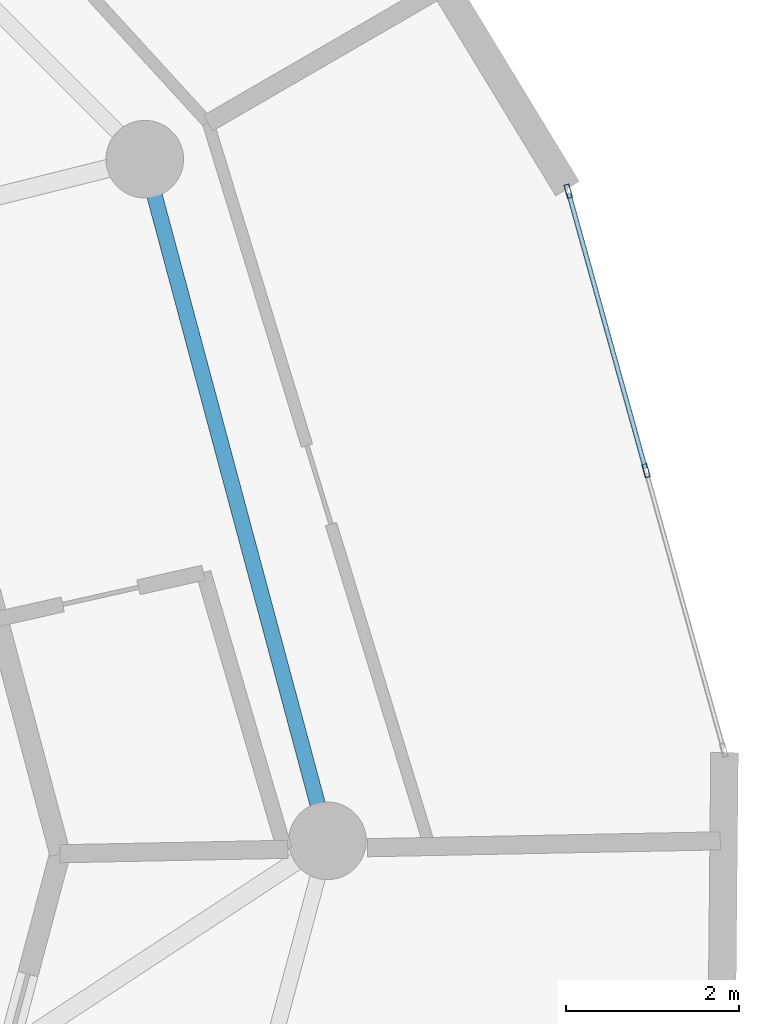
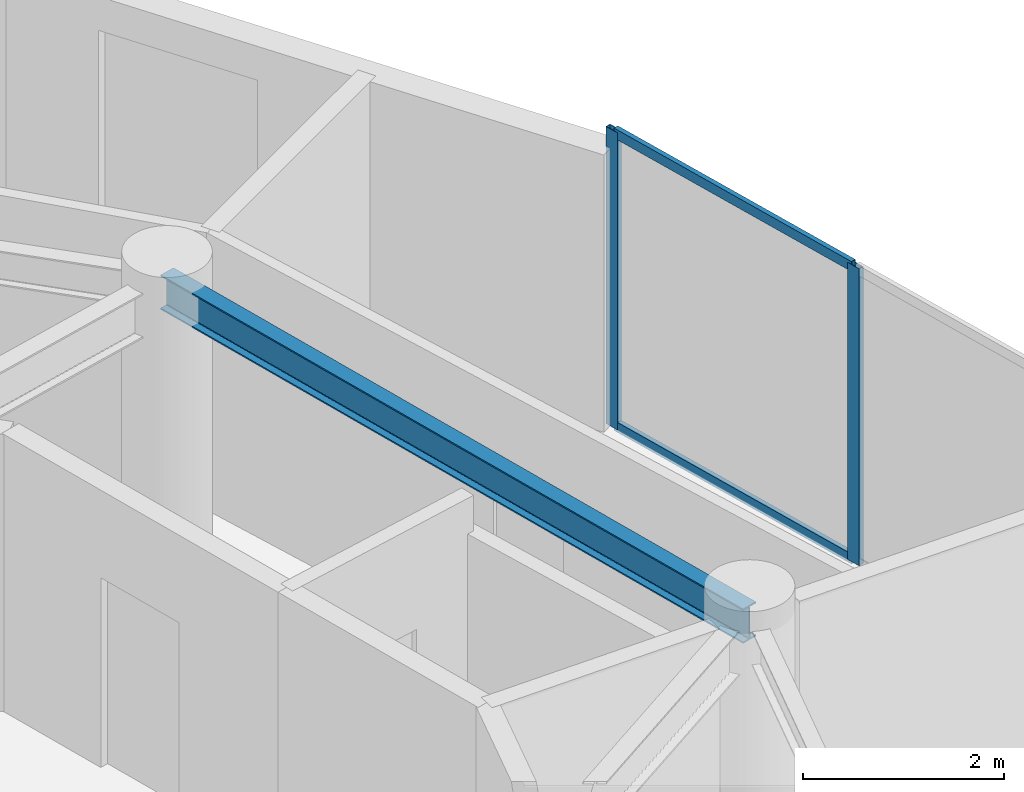
# One storey, part 10 of 20: 4 members, 1 beam, 1 element without a shape of its own.
"""IFC4 building model written with IfcOpenShell, lengths in metres."""

from ifc_helpers import new_model, si_unit, direction, frame, origin, origin_2d, place, context, subcontext, project, spatial, hollow_rectangle, i_section, extrude, source, transform, mapped, material, layer, layer_set, material_profile, profile_set, type_object, element, aggregate, save


model = new_model("IFC4")

# Units and contexts
model_context = context("Model", 3, precision=1e-05, world=origin(), true_north=direction((0.0, 1.0)))
body_context = subcontext(model_context, "Body", "Model", "MODEL_VIEW")
ifc_project = project(units=[si_unit("LENGTHUNIT", "METRE"), si_unit("AREAUNIT", "SQUARE_METRE"), si_unit("VOLUMEUNIT", "CUBIC_METRE"), si_unit("PLANEANGLEUNIT", "RADIAN"), si_unit("MASSUNIT", "GRAM", prefix="KILO")], contexts=[model_context])

# Site, building, storey
site_placement = place(None, origin())
site = spatial("IfcSite", under=ifc_project, at=site_placement, CompositionType="ELEMENT")
building_placement = place(site_placement, origin())
building = spatial("IfcBuilding", under=site, at=building_placement, Name="Solvirekh Grand Hotel", CompositionType="ELEMENT")
storey_placement = place(building_placement, frame((0.0, 0.0, 209.199951171875)))
storey = spatial("IfcBuildingStorey", under=building, at=storey_placement, Name="L54", CompositionType="ELEMENT", Elevation=209.199951171875)

# Beam
ifc_material_1 = material(Name="Steel S355", Category="steel")
ifc_material_profile_1 = material_profile(ifc_material_1, i_section(OverallWidth=0.180908203125, OverallDepth=0.4169921875, WebThickness=0.010009765625, FlangeThickness=0.01611328125, FilletRadius=0.011962890625, at=origin_2d()), Name="W410X85")
ifc_profile_set_1 = profile_set([ifc_material_profile_1], Name="Steel S355")
beam_type = type_object("IfcBeamType", Name="Spandrel_Ring_W410", PredefinedType="SPANDREL", material=ifc_profile_set_1)
beam_placement = place(storey_placement, frame((15.800048828125, 0.0, 3.152099609375), z_axis=(-0.258838541915, 0.965920601923, 0.0), x_axis=(-0.965920601923, -0.258838541915, 0.0)))
element("IfcBeam", 1, at=beam_placement, inside=storey, type_object=beam_type, Name="L54 perimeter spandrel beam 1", PredefinedType="SPANDREL", context=body_context, shape_type="SweptSolid", body=[
    extrude(i_section(OverallWidth=0.180908203125, OverallDepth=0.4169921875, WebThickness=0.010009765625, FlangeThickness=0.01611328125, FilletRadius=0.011962890625, at=origin_2d()), origin(), (0.0, 0.0, 1.0), 8.1787109375),
])

# Curtain wall, members
ifc_material_2 = material(Name="Anodized Bronze Aluminium 6063-T6", Category="aluminium")
ifc_layer = layer(ifc_material_2, 0.159912109375)
ifc_layer_set = layer_set([ifc_layer], Name="Anodized Bronze Aluminium 6063-T6")
curtain_wall_type = type_object("IfcCurtainWallType", Name="CW_Sys4_HighZoneFlushBronzeCW", PredefinedType="NOTDEFINED", material=ifc_layer_set)
curtain_wall_placement = place(storey_placement, origin())
curtain_wall = element("IfcCurtainWall", 2, at=curtain_wall_placement, inside=storey, type_object=curtain_wall_type, Name="L54 unitised bronze-glass curtain wall CW-L54-C05", PredefinedType="NOTDEFINED")
ifc_material_profile_2 = material_profile(ifc_material_2, hollow_rectangle(XDim=0.06005859375, YDim=0.159912109375, WallThickness=0.0048828125, at=origin_2d()), Name="ALU RHS 160X60X5")
ifc_profile_set_2 = profile_set([ifc_material_profile_2], Name="Anodized Bronze Aluminium 6063-T6")
member_type_1 = type_object("IfcMemberType", Name="CWMullion_Sys4", PredefinedType="MULLION", material=ifc_profile_set_2)
shared_shape_1 = source(origin(), body_context, "Body", "SweptSolid", [
    extrude(hollow_rectangle(XDim=0.06005859375, YDim=0.159912109375, WallThickness=0.0048828125, at=origin_2d()), origin(), (0.0, 0.0, 1.0), 3.60009765625),
])
member_1_placement = place(storey_placement, frame((19.491943359375, 4.2900390625, 0.0), z_axis=(0.0, 0.0, 1.0), x_axis=(-0.963348787982, -0.268251957482, 0.0)))
member_1 = element("IfcMember", 3, at=member_1_placement, type_object=member_type_1, Name="U04 mullion 2", PredefinedType="MULLION", context=body_context, shape_type="MappedRepresentation", body=[
    mapped(shared_shape_1, transform((0.0, 0.0, 0.0), x_axis=(1.0, 0.0, 0.0), y_axis=(0.0, 1.0, 0.0), z_axis=(0.0, 0.0, 1.0), scale=1.0)),
])
member_2_placement = place(storey_placement, frame((18.590087890625, 7.529052734375, 0.0), z_axis=(0.0, 0.0, 1.0), x_axis=(-0.963348787982, -0.268251957482, 0.0)))
member_2 = element("IfcMember", 4, at=member_2_placement, type_object=member_type_1, Name="U04 mullion 3", PredefinedType="MULLION", context=body_context, shape_type="MappedRepresentation", body=[
    mapped(shared_shape_1, transform((0.0, 0.0, 0.0), x_axis=(1.0, 0.0, 0.0), y_axis=(0.0, 1.0, 0.0), z_axis=(0.0, 0.0, 1.0), scale=1.0)),
])
ifc_material_profile_3 = material_profile(ifc_material_2, hollow_rectangle(XDim=0.054931640625, YDim=0.1201171875, WallThickness=0.00390625, at=origin_2d()), Name="ALU RHS 120X55X4")
ifc_profile_set_3 = profile_set([ifc_material_profile_3], Name="Anodized Bronze Aluminium 6063-T6")
member_type_2 = type_object("IfcMemberType", Name="CWTransom_Sys4", PredefinedType="USERDEFINED", material=ifc_profile_set_3)
shared_shape_2 = source(origin(), body_context, "Body", "SweptSolid", [
    extrude(hollow_rectangle(XDim=0.054931640625, YDim=0.1201171875, WallThickness=0.00390625, at=origin_2d()), origin(), (0.0, 0.0, 1.0), 3.302490234375),
])
member_3_placement = place(storey_placement, frame((19.48388671875, 4.31884765625, 0.027587890625), z_axis=(-0.268211942625, 0.963359929535, 0.0), x_axis=(-0.963359929535, -0.268211942625, 0.0)))
member_3 = element("IfcMember", 5, at=member_3_placement, type_object=member_type_2, Name="U04 transom 2.1", ObjectType="TRANSOM", PredefinedType="USERDEFINED", context=body_context, shape_type="MappedRepresentation", body=[
    mapped(shared_shape_2, transform((0.0, 0.0, 0.0), x_axis=(1.0, 0.0, 0.0), y_axis=(0.0, 1.0, 0.0), z_axis=(0.0, 0.0, 1.0), scale=1.0)),
])
member_4_placement = place(storey_placement, frame((19.48388671875, 4.31884765625, 3.572509765625), z_axis=(-0.268211942625, 0.963359929535, 0.0), x_axis=(-0.963359929535, -0.268211942625, 0.0)))
member_4 = element("IfcMember", 6, at=member_4_placement, type_object=member_type_2, Name="U04 transom 2.2", ObjectType="TRANSOM", PredefinedType="USERDEFINED", context=body_context, shape_type="MappedRepresentation", body=[
    mapped(shared_shape_2, transform((0.0, 0.0, 0.0), x_axis=(1.0, 0.0, 0.0), y_axis=(0.0, 1.0, 0.0), z_axis=(0.0, 0.0, 1.0), scale=1.0)),
])
aggregate(curtain_wall, [member_1, member_2, member_3, member_4])

save(model, "model.ifc")
